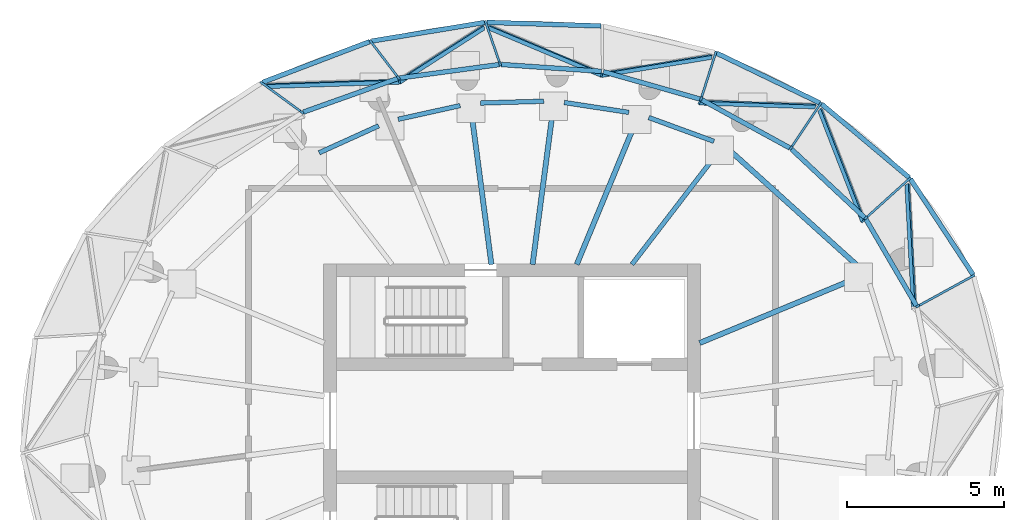
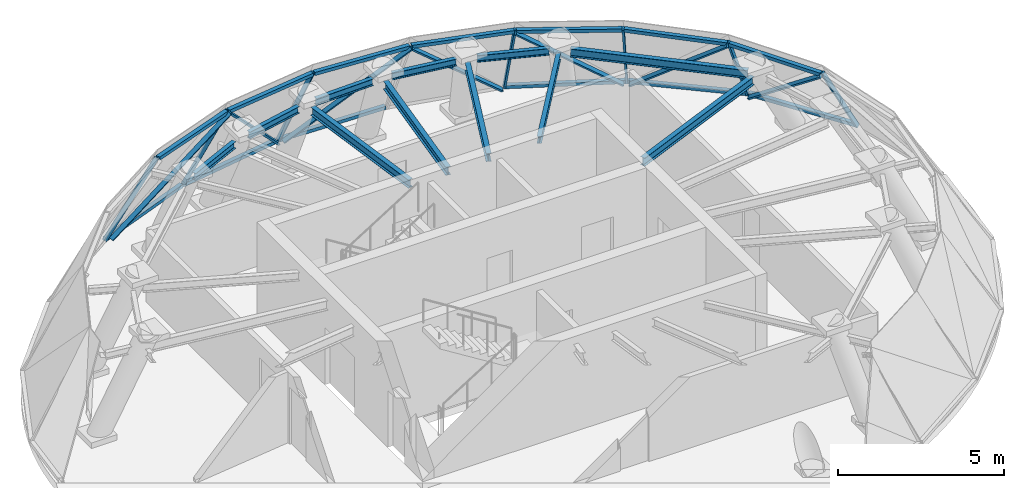
# One storey, part 4 of 8: 27 members, 11 beams, 15 elements without a shape of their own.
"""IFC4 building model written with IfcOpenShell, lengths in metres."""

from ifc_helpers import new_model, si_unit, direction, frame, origin, origin_2d, place, context, subcontext, project, spatial, rectangle, i_section, extrude, source, transform, mapped, material, layer, layer_set, material_profile, profile_set, type_object, element, aggregate, save


model = new_model("IFC4")

# Units and contexts
model_context = context("Model", 3, precision=1e-05, world=origin(), true_north=direction((0.0, 1.0)))
body_context = subcontext(model_context, "Body", "Model", "MODEL_VIEW")
ifc_project = project(units=[si_unit("LENGTHUNIT", "METRE"), si_unit("AREAUNIT", "SQUARE_METRE"), si_unit("VOLUMEUNIT", "CUBIC_METRE"), si_unit("PLANEANGLEUNIT", "RADIAN"), si_unit("MASSUNIT", "GRAM", prefix="KILO")], contexts=[model_context])

# Site, building, storey
site_placement = place(None, origin())
site = spatial("IfcSite", under=ifc_project, at=site_placement, CompositionType="ELEMENT")
building_placement = place(site_placement, origin())
building = spatial("IfcBuilding", under=site, at=building_placement, Name="Spindrift Exchange Tower", CompositionType="ELEMENT")
storey_placement = place(building_placement, frame((0.0, 0.0, 280.10009765625)))
storey = spatial("IfcBuildingStorey", under=building, at=storey_placement, Name="L69", CompositionType="ELEMENT", Elevation=280.10009765625)

# Beams
ifc_material_1 = material(Name="Steel Grade 300", Category="steel")
ifc_material_profile_1 = material_profile(ifc_material_1, i_section(OverallWidth=0.1650390625, OverallDepth=0.303955078125, WebThickness=0.006103515625, FlangeThickness=0.01025390625, FilletRadius=0.011474609375, at=origin_2d()), Name="310UB40.4")
ifc_profile_set_1 = profile_set([ifc_material_profile_1], Name="Steel Grade 300")
beam_type_1 = type_object("IfcBeamType", Name="Floor Beam 310UB40.4 Steel Grade 300", PredefinedType="BEAM", material=ifc_profile_set_1)
shared_shape_1 = source(origin(), body_context, "Body", "SweptSolid", [
    extrude(i_section(OverallWidth=0.1650390625, OverallDepth=0.303955078125, WebThickness=0.006103515625, FlangeThickness=0.01025390625, FilletRadius=0.011474609375, at=origin_2d()), origin(), (0.0, 0.0, 1.0), 5.4267578125),
])
beam_1_placement = place(storey_placement, frame((57.9814453125, 50.4775390625, 3.06787109375), z_axis=(0.923884140635, 0.38267230718, 0.0), x_axis=(-0.38267230718, 0.923884140635, 0.0)))
element("IfcBeam", 1, at=beam_1_placement, inside=storey, type_object=beam_type_1, Name="L69 radial beam R02A", PredefinedType="BEAM", context=body_context, shape_type="MappedRepresentation", body=[
    mapped(shared_shape_1, transform((0.0, 0.0, 0.0), scale=1.0)),
])
ifc_material_profile_2 = material_profile(ifc_material_1, i_section(OverallWidth=0.14599609375, OverallDepth=0.251953125, WebThickness=0.006103515625, FlangeThickness=0.008544921875, FilletRadius=0.011962890625, at=origin_2d()), Name="250UB31.4")
ifc_profile_set_2 = profile_set([ifc_material_profile_2], Name="Steel Grade 300")
beam_type_2 = type_object("IfcBeamType", Name="Floor Beam 250UB31.4 Steel Grade 300", PredefinedType="BEAM", material=ifc_profile_set_2)
shared_shape_2 = source(origin(), body_context, "Body", "SweptSolid", [
    extrude(i_section(OverallWidth=0.14599609375, OverallDepth=0.251953125, WebThickness=0.006103515625, FlangeThickness=0.008544921875, FilletRadius=0.011962890625, at=origin_2d()), origin(), (0.0, 0.0, 1.0), 4.46923828125),
])
beam_2_placement = place(storey_placement, frame((55.824462890625, 52.984130859375, 3.093994140625), z_axis=(0.608765216397, 0.793350434111, 0.0), x_axis=(-0.793350434111, 0.608765216397, 0.0)))
element("IfcBeam", 2, at=beam_2_placement, inside=storey, type_object=beam_type_2, Name="L69 radial beam R04A", PredefinedType="BEAM", context=body_context, shape_type="MappedRepresentation", body=[
    mapped(shared_shape_2, transform((0.0, 0.0, 0.0), scale=1.0)),
])
shared_shape_3 = source(origin(), body_context, "Body", "SweptSolid", [
    extrude(i_section(OverallWidth=0.1650390625, OverallDepth=0.303955078125, WebThickness=0.006103515625, FlangeThickness=0.01025390625, FilletRadius=0.011474609375, at=origin_2d()), origin(), (0.0, 0.0, 1.0), 4.861572265625),
])
beam_3_placement = place(storey_placement, frame((54.0634765625, 52.9814453125, 3.06787109375), z_axis=(0.382671134103, 0.923884626522, 0.0), x_axis=(-0.923884626522, 0.382671134103, 0.0)))
element("IfcBeam", 3, at=beam_3_placement, inside=storey, type_object=beam_type_1, Name="L69 radial beam R05A", PredefinedType="BEAM", context=body_context, shape_type="MappedRepresentation", body=[
    mapped(shared_shape_3, transform((0.0, 0.0, 0.0), scale=1.0)),
])
shared_shape_4 = source(origin(), body_context, "Body", "SweptSolid", [
    extrude(i_section(OverallWidth=0.1650390625, OverallDepth=0.303955078125, WebThickness=0.006103515625, FlangeThickness=0.01025390625, FilletRadius=0.011474609375, at=origin_2d()), origin(), (0.0, 0.0, 1.0), 4.927490234375),
])
beam_4_placement = place(storey_placement, frame((52.65576171875, 52.980224609375, 3.06787109375), z_axis=(0.130508343522, 0.991447211036, 0.0), x_axis=(-0.991447211036, 0.130508343522, 0.0)))
element("IfcBeam", 4, at=beam_4_placement, inside=storey, type_object=beam_type_1, Name="L69 radial beam R06A", PredefinedType="BEAM", context=body_context, shape_type="MappedRepresentation", body=[
    mapped(shared_shape_4, transform((0.0, 0.0, 0.0), scale=1.0)),
])
shared_shape_5 = source(origin(), body_context, "Body", "SweptSolid", [
    extrude(i_section(OverallWidth=0.1650390625, OverallDepth=0.303955078125, WebThickness=0.006103515625, FlangeThickness=0.01025390625, FilletRadius=0.011474609375, at=origin_2d()), origin(), (0.0, 0.0, 1.0), 4.849853515625),
])
beam_5_placement = place(storey_placement, frame((51.34423828125, 52.980224609375, 3.06787109375), z_axis=(-0.130531341342, 0.991444183465, 0.0), x_axis=(-0.991444183465, -0.130531341342, 0.0)))
element("IfcBeam", 5, at=beam_5_placement, inside=storey, type_object=beam_type_1, Name="L69 radial beam R07A", PredefinedType="BEAM", context=body_context, shape_type="MappedRepresentation", body=[
    mapped(shared_shape_5, transform((0.0, 0.0, 0.0), scale=1.0)),
])
ifc_material_profile_3 = material_profile(ifc_material_1, i_section(OverallWidth=0.1650390625, OverallDepth=0.303955078125, WebThickness=0.006103515625, FlangeThickness=0.01025390625, FilletRadius=0.011474609375, at=origin_2d()), Name="310UB40.4")
ifc_profile_set_3 = profile_set([ifc_material_profile_3], Name="Steel Grade 300")
beam_type_3 = type_object("IfcBeamType", Name="Edge Beam 310UB40.4 Steel Grade 300", PredefinedType="SPANDREL", material=ifc_profile_set_3)
shared_shape_6 = source(origin(), body_context, "Body", "SweptSolid", [
    extrude(i_section(OverallWidth=0.1650390625, OverallDepth=0.303955078125, WebThickness=0.006103515625, FlangeThickness=0.01025390625, FilletRadius=0.011474609375, at=origin_2d()), origin(), (0.0, 0.0, 1.0), 5.47509765625),
])
beam_6_placement = place(storey_placement, frame((63.054931640625, 52.901611328125, 3.06787109375), z_axis=(-0.742260031979, 0.670111964471, 0.0), x_axis=(-0.670111964471, -0.742260031979, 0.0)))
element("IfcBeam", 6, at=beam_6_placement, inside=storey, type_object=beam_type_3, Name="L69 edge beam E02", PredefinedType="SPANDREL", context=body_context, shape_type="MappedRepresentation", body=[
    mapped(shared_shape_6, transform((0.0, 0.0, 0.0), scale=1.0)),
])
ifc_material_profile_4 = material_profile(ifc_material_1, i_section(OverallWidth=0.14599609375, OverallDepth=0.251953125, WebThickness=0.006103515625, FlangeThickness=0.008544921875, FilletRadius=0.011962890625, at=origin_2d()), Name="250UB31.4")
ifc_profile_set_4 = profile_set([ifc_material_profile_4], Name="Steel Grade 300")
beam_type_4 = type_object("IfcBeamType", Name="Edge Beam 250UB31.4 Steel Grade 300", PredefinedType="SPANDREL", material=ifc_profile_set_4)
shared_shape_7 = source(origin(), body_context, "Body", "SweptSolid", [
    extrude(i_section(OverallWidth=0.14599609375, OverallDepth=0.251953125, WebThickness=0.006103515625, FlangeThickness=0.008544921875, FilletRadius=0.011962890625, at=origin_2d()), origin(), (0.0, 0.0, 1.0), 2.210693359375),
])
beam_7_placement = place(storey_placement, frame((58.43603515625, 56.905029296875, 3.093994140625), z_axis=(-0.939166301396, 0.34346274663, 0.0), x_axis=(-0.34346274663, -0.939166301396, 0.0)))
element("IfcBeam", 7, at=beam_7_placement, inside=storey, type_object=beam_type_4, Name="L69 edge beam E04", PredefinedType="SPANDREL", context=body_context, shape_type="MappedRepresentation", body=[
    mapped(shared_shape_7, transform((0.0, 0.0, 0.0), scale=1.0)),
])
shared_shape_8 = source(origin(), body_context, "Body", "SweptSolid", [
    extrude(i_section(OverallWidth=0.14599609375, OverallDepth=0.251953125, WebThickness=0.006103515625, FlangeThickness=0.008544921875, FilletRadius=0.011962890625, at=origin_2d()), origin(), (0.0, 0.0, 1.0), 2.07958984375),
])
beam_8_placement = place(storey_placement, frame((55.723876953125, 57.82763671875, 3.093994140625), z_axis=(-0.988448926975, 0.151554342604, 0.0), x_axis=(-0.151554342604, -0.988448926975, 0.0)))
element("IfcBeam", 8, at=beam_8_placement, inside=storey, type_object=beam_type_4, Name="L69 edge beam E05", PredefinedType="SPANDREL", context=body_context, shape_type="MappedRepresentation", body=[
    mapped(shared_shape_8, transform((0.0, 0.0, 0.0), scale=1.0)),
])
shared_shape_9 = source(origin(), body_context, "Body", "SweptSolid", [
    extrude(i_section(OverallWidth=0.14599609375, OverallDepth=0.251953125, WebThickness=0.006103515625, FlangeThickness=0.008544921875, FilletRadius=0.011962890625, at=origin_2d()), origin(), (0.0, 0.0, 1.0), 2.014892578125),
])
beam_9_placement = place(storey_placement, frame((53.01220703125, 58.183349609375, 3.093994140625), z_axis=(-0.999584142012, -0.028836487976, 0.0), x_axis=(0.028836487976, -0.999584142012, 0.0)))
element("IfcBeam", 9, at=beam_9_placement, inside=storey, type_object=beam_type_4, Name="L69 edge beam E06", PredefinedType="SPANDREL", context=body_context, shape_type="MappedRepresentation", body=[
    mapped(shared_shape_9, transform((0.0, 0.0, 0.0), scale=1.0)),
])
shared_shape_10 = source(origin(), body_context, "Body", "SweptSolid", [
    extrude(i_section(OverallWidth=0.14599609375, OverallDepth=0.251953125, WebThickness=0.006103515625, FlangeThickness=0.008544921875, FilletRadius=0.011962890625, at=origin_2d()), origin(), (0.0, 0.0, 1.0), 2.021728515625),
])
beam_10_placement = place(storey_placement, frame((50.34619140625, 58.04443359375, 3.093994140625), z_axis=(-0.976357245628, -0.216163199712, 0.0), x_axis=(0.216163199712, -0.976357245628, 0.0)))
element("IfcBeam", 10, at=beam_10_placement, inside=storey, type_object=beam_type_4, Name="L69 edge beam E07", PredefinedType="SPANDREL", context=body_context, shape_type="MappedRepresentation", body=[
    mapped(shared_shape_10, transform((0.0, 0.0, 0.0), scale=1.0)),
])
shared_shape_11 = source(origin(), body_context, "Body", "SweptSolid", [
    extrude(i_section(OverallWidth=0.14599609375, OverallDepth=0.251953125, WebThickness=0.006103515625, FlangeThickness=0.008544921875, FilletRadius=0.011962890625, at=origin_2d()), origin(), (0.0, 0.0, 1.0), 2.0830078125),
])
beam_11_placement = place(storey_placement, frame((47.74951171875, 57.39990234375, 3.093994140625), z_axis=(-0.910711364305, -0.413043352357, 0.0), x_axis=(0.413043352357, -0.910711364305, 0.0)))
element("IfcBeam", 11, at=beam_11_placement, inside=storey, type_object=beam_type_4, Name="L69 edge beam E08", PredefinedType="SPANDREL", context=body_context, shape_type="MappedRepresentation", body=[
    mapped(shared_shape_11, transform((0.0, 0.0, 0.0), scale=1.0)),
])

# Curtain wall, member
ifc_material_2 = material(Name="Fritted laminated glass with bronze frame", Category="glass")
ifc_layer = layer(ifc_material_2, 0.14990234375)
ifc_layer_set = layer_set([ifc_layer], Name="CROWN BRONZE RAKED GLAZED WALL")
curtain_wall_type = type_object("IfcCurtainWallType", Name="CROWN BRONZE RAKED GLAZED WALL", PredefinedType="NOTDEFINED", material=ifc_layer_set)
curtain_wall_1_placement = place(storey_placement, origin())
curtain_wall_1 = element("IfcCurtainWall", 12, at=curtain_wall_1_placement, inside=storey, type_object=curtain_wall_type, Name="L69 Crown Bronze Raked Glazed Wall facet 3", PredefinedType="NOTDEFINED")
ifc_material_3 = material(Name="Bronze anodised aluminium", Category="aluminium")
ifc_material_profile_5 = material_profile(ifc_material_3, rectangle(XDim=0.14990234375, YDim=0.1201171875, at=origin_2d()), Name="CROWN BRONZE RAKED GLAZED WALL TRANSOM 150X120")
ifc_profile_set_5 = profile_set([ifc_material_profile_5], Name="Bronze anodised aluminium")
member_type_1 = type_object("IfcMemberType", Name="CROWN BRONZE RAKED GLAZED WALL TRANSOM 150X120", PredefinedType="USERDEFINED", material=ifc_profile_set_5)
shared_shape_12 = source(origin(), body_context, "Body", "SweptSolid", [
    extrude(rectangle(XDim=0.14990234375, YDim=0.1201171875, at=origin_2d()), origin(), (0.0, 0.0, 1.0), 3.637939453125),
])
member_1_placement = place(storey_placement, frame((64.701904296875, 55.698974609375, 0.059814453125), z_axis=(0.548100736772, -0.836412327952, 0.0), x_axis=(0.836412327952, 0.548100736772, 0.0)))
member_1 = element("IfcMember", 13, at=member_1_placement, type_object=member_type_1, Name="L69 transom CW-R.2a", ObjectType="TRANSOM", PredefinedType="USERDEFINED", context=body_context, shape_type="MappedRepresentation", body=[
    mapped(shared_shape_12, transform((0.0, 0.0, 0.0), scale=1.0)),
])

curtain_wall_2_placement = place(storey_placement, origin())
curtain_wall_2 = element("IfcCurtainWall", 14, at=curtain_wall_2_placement, inside=storey, type_object=curtain_wall_type, Name="L69 Crown Bronze Raked Glazed Wall facet 5", PredefinedType="NOTDEFINED")
shared_shape_13 = source(origin(), body_context, "Body", "SweptSolid", [
    extrude(rectangle(XDim=0.14990234375, YDim=0.1201171875, at=origin_2d()), origin(), (0.0, 0.0, 1.0), 3.642333984375),
])
member_2_placement = place(storey_placement, frame((61.866455078125, 58.093017578125, 0.059814453125), z_axis=(0.765803889802, -0.643074181074, 0.0), x_axis=(0.643074181074, 0.765803889802, 0.0)))
member_2 = element("IfcMember", 15, at=member_2_placement, type_object=member_type_1, Name="L69 transom CW-R.3a", ObjectType="TRANSOM", PredefinedType="USERDEFINED", context=body_context, shape_type="MappedRepresentation", body=[
    mapped(shared_shape_13, transform((0.0, 0.0, 0.0), scale=1.0)),
])

curtain_wall_3_placement = place(storey_placement, origin())
curtain_wall_3 = element("IfcCurtainWall", 16, at=curtain_wall_3_placement, inside=storey, type_object=curtain_wall_type, Name="L69 Crown Bronze Raked Glazed Wall facet 7", PredefinedType="NOTDEFINED")
shared_shape_14 = source(origin(), body_context, "Body", "SweptSolid", [
    extrude(rectangle(XDim=0.14990234375, YDim=0.1201171875, at=origin_2d()), origin(), (0.0, 0.0, 1.0), 3.64501953125),
])
member_3_placement = place(storey_placement, frame((61.80810546875, 58.130615234375, 0.059814453125), z_axis=(-0.900673675407, 0.434496179993, 0.0), x_axis=(-0.434496179993, -0.900673675407, 0.0)))
member_3 = element("IfcMember", 17, at=member_3_placement, type_object=member_type_1, Name="L69 transom CW-R.4a", ObjectType="TRANSOM", PredefinedType="USERDEFINED", context=body_context, shape_type="MappedRepresentation", body=[
    mapped(shared_shape_14, transform((0.0, 0.0, 0.0), scale=1.0)),
])

curtain_wall_4_placement = place(storey_placement, origin())
curtain_wall_4 = element("IfcCurtainWall", 18, at=curtain_wall_4_placement, inside=storey, type_object=curtain_wall_type, Name="L69 Crown Bronze Raked Glazed Wall facet 15", PredefinedType="NOTDEFINED")
shared_shape_15 = source(origin(), body_context, "Body", "SweptSolid", [
    extrude(rectangle(XDim=0.14990234375, YDim=0.1201171875, at=origin_2d()), origin(), (0.0, 0.0, 1.0), 3.646728515625),
])
member_4_placement = place(storey_placement, frame((44.051025390625, 58.78466796875, 0.059814453125), z_axis=(0.934654139779, 0.355558207604, 0.0), x_axis=(-0.355558207604, 0.934654139779, 0.0)))
member_4 = element("IfcMember", 19, at=member_4_placement, type_object=member_type_1, Name="L69 transom CW-R.8a", ObjectType="TRANSOM", PredefinedType="USERDEFINED", context=body_context, shape_type="MappedRepresentation", body=[
    mapped(shared_shape_15, transform((0.0, 0.0, 0.0), scale=1.0)),
])

curtain_wall_5_placement = place(storey_placement, origin())
curtain_wall_5 = element("IfcCurtainWall", 20, at=curtain_wall_5_placement, inside=storey, type_object=curtain_wall_type, Name="L69 Crown Bronze Raked Glazed Wall facet 11", PredefinedType="NOTDEFINED")
shared_shape_16 = source(origin(), body_context, "Body", "SweptSolid", [
    extrude(rectangle(XDim=0.14990234375, YDim=0.1201171875, at=origin_2d()), origin(), (0.0, 0.0, 1.0), 3.6474609375),
])
member_5_placement = place(storey_placement, frame((51.195068359375, 60.697265625, 0.059814453125), z_axis=(0.999511357517, -0.031257738161, 0.0), x_axis=(0.031257738161, 0.999511357517, 0.0)))
member_5 = element("IfcMember", 21, at=member_5_placement, type_object=member_type_1, Name="L69 transom CW-R.6a", ObjectType="TRANSOM", PredefinedType="USERDEFINED", context=body_context, shape_type="MappedRepresentation", body=[
    mapped(shared_shape_16, transform((0.0, 0.0, 0.0), scale=1.0)),
])
aggregate(curtain_wall_5, [member_5])

curtain_wall_6_placement = place(storey_placement, origin())
curtain_wall_6 = element("IfcCurtainWall", 22, at=curtain_wall_6_placement, inside=storey, type_object=curtain_wall_type, Name="L69 Crown Bronze Raked Glazed Wall facet 13", PredefinedType="NOTDEFINED")
member_6_placement = place(storey_placement, frame((51.12548828125, 60.692626953125, 0.059814453125), z_axis=(-0.986694371983, -0.162586027376, 0.0), x_axis=(0.162586027376, -0.986694371983, 0.0)))
member_6 = element("IfcMember", 23, at=member_6_placement, type_object=member_type_1, Name="L69 transom CW-R.7a", ObjectType="TRANSOM", PredefinedType="USERDEFINED", context=body_context, shape_type="MappedRepresentation", body=[
    mapped(shared_shape_16, transform((0.0, 0.0, 0.0), scale=1.0)),
])

curtain_wall_7_placement = place(storey_placement, origin())
curtain_wall_7 = element("IfcCurtainWall", 24, at=curtain_wall_7_placement, inside=storey, type_object=curtain_wall_type, Name="L69 Crown Bronze Raked Glazed Wall facet 4", PredefinedType="NOTDEFINED")
shared_shape_17 = source(origin(), body_context, "Body", "SweptSolid", [
    extrude(rectangle(XDim=0.14990234375, YDim=0.1201171875, at=origin_2d()), origin(), (0.0, 0.0, 1.0), 3.1875),
])
member_7_placement = place(storey_placement, frame((63.281494140625, 54.4189453125, 3.159912109375), z_axis=(0.504356688365, -0.863495414522, 0.0), x_axis=(0.863495414522, 0.504356688365, 0.0)))
member_7 = element("IfcMember", 25, at=member_7_placement, type_object=member_type_1, Name="L69 transom CW-R.2b", ObjectType="TRANSOM", PredefinedType="USERDEFINED", context=body_context, shape_type="MappedRepresentation", body=[
    mapped(shared_shape_17, transform((0.0, 0.0, 0.0), scale=1.0)),
])

# Member
ifc_material_profile_6 = material_profile(ifc_material_3, rectangle(XDim=0.070068359375, YDim=0.14990234375, at=origin_2d()), Name="CROWN BRONZE RAKED GLAZED WALL MULLION 70X150")
ifc_profile_set_6 = profile_set([ifc_material_profile_6], Name="Bronze anodised aluminium")
member_type_2 = type_object("IfcMemberType", Name="CROWN BRONZE RAKED GLAZED WALL MULLION 70X150", PredefinedType="MULLION", material=ifc_profile_set_6)
shared_shape_18 = source(origin(), body_context, "Body", "SweptSolid", [
    extrude(rectangle(XDim=0.070068359375, YDim=0.14990234375, at=origin_2d()), origin(), (0.0, 0.0, 1.0), 3.7275390625),
])
member_8_placement = place(storey_placement, frame((66.692138671875, 52.614501953125, 0.040283203125), z_axis=(-0.472889864394, -0.25910696725, 0.842163140773), x_axis=(0.480519295538, -0.876984154142, 0.0)))
member_8 = element("IfcMember", 26, at=member_8_placement, type_object=member_type_2, Name="L69 mullion CW-R.2", PredefinedType="MULLION", context=body_context, shape_type="MappedRepresentation", body=[
    mapped(shared_shape_18, transform((0.0, 0.0, 0.0), scale=1.0)),
])

aggregate(curtain_wall_1, [member_1, member_8])

shared_shape_19 = source(origin(), body_context, "Body", "SweptSolid", [
    extrude(rectangle(XDim=0.070068359375, YDim=0.14990234375, at=origin_2d()), origin(), (0.0, 0.0, 1.0), 5.020751953125),
])
member_9_placement = place(storey_placement, frame((64.596923828125, 55.51611328125, 0.058837890625), z_axis=(0.042985757744, -0.785122222327, 0.617847327938), x_axis=(0.667748881889, -0.437422156833, -0.602306639053)))
member_9 = element("IfcMember", 27, at=member_9_placement, type_object=member_type_2, Name="L69 glazing bar CW-R.2", PredefinedType="MULLION", context=body_context, shape_type="MappedRepresentation", body=[
    mapped(shared_shape_19, transform((0.0, 0.0, 0.0), scale=1.0)),
])

aggregate(curtain_wall_7, [member_7, member_9])

# Curtain wall, member
curtain_wall_8_placement = place(storey_placement, origin())
curtain_wall_8 = element("IfcCurtainWall", 28, at=curtain_wall_8_placement, inside=storey, type_object=curtain_wall_type, Name="L69 Crown Bronze Raked Glazed Wall facet 6", PredefinedType="NOTDEFINED")
shared_shape_20 = source(origin(), body_context, "Body", "SweptSolid", [
    extrude(rectangle(XDim=0.14990234375, YDim=0.1201171875, at=origin_2d()), origin(), (0.0, 0.0, 1.0), 3.1904296875),
])
member_10_placement = place(storey_placement, frame((60.909912109375, 56.654296875, 3.159912109375), z_axis=(0.729802037527, -0.683658530278, 0.0), x_axis=(0.683658530278, 0.729802037527, 0.0)))
member_10 = element("IfcMember", 29, at=member_10_placement, type_object=member_type_1, Name="L69 transom CW-R.3b", ObjectType="TRANSOM", PredefinedType="USERDEFINED", context=body_context, shape_type="MappedRepresentation", body=[
    mapped(shared_shape_20, transform((0.0, 0.0, 0.0), scale=1.0)),
])

# Member
shared_shape_21 = source(origin(), body_context, "Body", "SweptSolid", [
    extrude(rectangle(XDim=0.070068359375, YDim=0.14990234375, at=origin_2d()), origin(), (0.0, 0.0, 1.0), 3.655029296875),
])
member_11_placement = place(storey_placement, frame((64.665771484375, 55.713134765625, 0.0380859375), z_axis=(-0.378926948694, -0.341655445543, 0.860049954412), x_axis=(0.669637121797, -0.742688444175, 0.0)))
member_11 = element("IfcMember", 30, at=member_11_placement, type_object=member_type_2, Name="L69 mullion CW-R.3", PredefinedType="MULLION", context=body_context, shape_type="MappedRepresentation", body=[
    mapped(shared_shape_21, transform((0.0, 0.0, 0.0), scale=1.0)),
])

aggregate(curtain_wall_2, [member_2, member_11])

shared_shape_22 = source(origin(), body_context, "Body", "SweptSolid", [
    extrude(rectangle(XDim=0.070068359375, YDim=0.14990234375, at=origin_2d()), origin(), (0.0, 0.0, 1.0), 4.89990234375),
])
member_12_placement = place(storey_placement, frame((61.81591796875, 57.89892578125, 0.057861328125), z_axis=(0.280164677133, -0.721263358738, 0.633472115432), x_axis=(0.751103125691, -0.246232815445, -0.612546728972)))
member_12 = element("IfcMember", 31, at=member_12_placement, type_object=member_type_2, Name="L69 glazing bar CW-R.3", PredefinedType="MULLION", context=body_context, shape_type="MappedRepresentation", body=[
    mapped(shared_shape_22, transform((0.0, 0.0, 0.0), scale=1.0)),
])

aggregate(curtain_wall_8, [member_10, member_12])

# Curtain wall, members
curtain_wall_9_placement = place(storey_placement, origin())
curtain_wall_9 = element("IfcCurtainWall", 32, at=curtain_wall_9_placement, inside=storey, type_object=curtain_wall_type, Name="L69 Crown Bronze Raked Glazed Wall facet 8", PredefinedType="NOTDEFINED")
shared_shape_23 = source(origin(), body_context, "Body", "SweptSolid", [
    extrude(rectangle(XDim=0.14990234375, YDim=0.1201171875, at=origin_2d()), origin(), (0.0, 0.0, 1.0), 3.192626953125),
])
member_13_placement = place(storey_placement, frame((60.853515625, 56.695068359375, 3.159912109375), z_axis=(-0.877316308591, 0.479912590667, 0.0), x_axis=(-0.479912590667, -0.877316308591, 0.0)))
member_13 = element("IfcMember", 33, at=member_13_placement, type_object=member_type_1, Name="L69 transom CW-R.4b", ObjectType="TRANSOM", PredefinedType="USERDEFINED", context=body_context, shape_type="MappedRepresentation", body=[
    mapped(shared_shape_23, transform((0.0, 0.0, 0.0), scale=1.0)),
])
shared_shape_24 = source(origin(), body_context, "Body", "SweptSolid", [
    extrude(rectangle(XDim=0.070068359375, YDim=0.14990234375, at=origin_2d()), origin(), (0.0, 0.0, 1.0), 3.572998046875),
])
member_14_placement = place(storey_placement, frame((61.8291015625, 58.099609375, 0.035400390625), z_axis=(-0.261502545508, -0.393381278937, 0.881400923573), x_axis=(0.832783971925, -0.553598099802, 0.0)))
member_14 = element("IfcMember", 34, at=member_14_placement, type_object=member_type_2, Name="L69 mullion CW-R.4", PredefinedType="MULLION", context=body_context, shape_type="MappedRepresentation", body=[
    mapped(shared_shape_24, transform((0.0, 0.0, 0.0), scale=1.0)),
])
aggregate(curtain_wall_9, [member_13, member_14])

# Member
shared_shape_25 = source(origin(), body_context, "Body", "SweptSolid", [
    extrude(rectangle(XDim=0.070068359375, YDim=0.14990234375, at=origin_2d()), origin(), (0.0, 0.0, 1.0), 4.818359375),
])
member_15_placement = place(storey_placement, frame((61.655517578125, 58.017578125, 0.05712890625), z_axis=(-0.764152956195, 0.025740315745, 0.644521291877), x_axis=(0.5088697396, -0.589972408415, 0.626884475345)))
member_15 = element("IfcMember", 35, at=member_15_placement, type_object=member_type_2, Name="L69 glazing bar CW-R.4", PredefinedType="MULLION", context=body_context, shape_type="MappedRepresentation", body=[
    mapped(shared_shape_25, transform((0.0, 0.0, 0.0), scale=1.0)),
])

aggregate(curtain_wall_3, [member_3, member_15])

# Curtain wall, member
curtain_wall_10_placement = place(storey_placement, origin())
curtain_wall_10 = element("IfcCurtainWall", 36, at=curtain_wall_10_placement, inside=storey, type_object=curtain_wall_type, Name="L69 Crown Bronze Raked Glazed Wall facet 10", PredefinedType="NOTDEFINED")
shared_shape_26 = source(origin(), body_context, "Body", "SweptSolid", [
    extrude(rectangle(XDim=0.14990234375, YDim=0.1201171875, at=origin_2d()), origin(), (0.0, 0.0, 1.0), 3.194091796875),
])
member_16_placement = place(storey_placement, frame((57.988037109375, 58.253662109375, 3.159912109375), z_axis=(-0.962092972566, 0.27272167523, 0.0), x_axis=(-0.27272167523, -0.962092972566, 0.0)))
member_16 = element("IfcMember", 37, at=member_16_placement, type_object=member_type_1, Name="L69 transom CW-R.5b", ObjectType="TRANSOM", PredefinedType="USERDEFINED", context=body_context, shape_type="MappedRepresentation", body=[
    mapped(shared_shape_26, transform((0.0, 0.0, 0.0), scale=1.0)),
])

curtain_wall_11_placement = place(storey_placement, origin())
curtain_wall_11 = element("IfcCurtainWall", 38, at=curtain_wall_11_placement, inside=storey, type_object=curtain_wall_type, Name="L69 Crown Bronze Raked Glazed Wall facet 16", PredefinedType="NOTDEFINED")
member_17_placement = place(storey_placement, frame((45.34716796875, 57.83544921875, 3.159912109375), z_axis=(0.941969958501, 0.335697180926, 0.0), x_axis=(-0.335697180926, 0.941969958501, 0.0)))
member_17 = element("IfcMember", 39, at=member_17_placement, type_object=member_type_1, Name="L69 transom CW-R.8b", ObjectType="TRANSOM", PredefinedType="USERDEFINED", context=body_context, shape_type="MappedRepresentation", body=[
    mapped(shared_shape_26, transform((0.0, 0.0, 0.0), scale=1.0)),
])

# Member
shared_shape_27 = source(origin(), body_context, "Body", "SweptSolid", [
    extrude(rectangle(XDim=0.070068359375, YDim=0.14990234375, at=origin_2d()), origin(), (0.0, 0.0, 1.0), 3.504638671875),
])
member_18_placement = place(storey_placement, frame((58.48876953125, 59.71435546875, 0.03271484375), z_axis=(-0.131869409005, -0.415252798247, 0.900097535002), x_axis=(0.953095717909, -0.302669047811, 0.0)))
member_18 = element("IfcMember", 40, at=member_18_placement, type_object=member_type_2, Name="L69 mullion CW-R.5", PredefinedType="MULLION", context=body_context, shape_type="MappedRepresentation", body=[
    mapped(shared_shape_27, transform((0.0, 0.0, 0.0), scale=1.0)),
])

aggregate(curtain_wall_10, [member_16, member_18])

# Curtain wall, member
curtain_wall_12_placement = place(storey_placement, origin())
curtain_wall_12 = element("IfcCurtainWall", 41, at=curtain_wall_12_placement, inside=storey, type_object=curtain_wall_type, Name="L69 Crown Bronze Raked Glazed Wall facet 9", PredefinedType="NOTDEFINED")
shared_shape_28 = source(origin(), body_context, "Body", "SweptSolid", [
    extrude(rectangle(XDim=0.070068359375, YDim=0.14990234375, at=origin_2d()), origin(), (0.0, 0.0, 1.0), 4.705078125),
])
member_19_placement = place(storey_placement, frame((58.345458984375, 59.5966796875, 0.05615234375), z_axis=(-0.74087766055, -0.12209589125, 0.660449002905), x_axis=(0.636451650882, -0.44173834842, 0.632294652535)))
member_19 = element("IfcMember", 42, at=member_19_placement, type_object=member_type_2, Name="L69 glazing bar CW-R.5", PredefinedType="MULLION", context=body_context, shape_type="MappedRepresentation", body=[
    mapped(shared_shape_28, transform((0.0, 0.0, 0.0), scale=1.0)),
])
aggregate(curtain_wall_12, [member_19])

curtain_wall_13_placement = place(storey_placement, origin())
curtain_wall_13 = element("IfcCurtainWall", 43, at=curtain_wall_13_placement, inside=storey, type_object=curtain_wall_type, Name="L69 Crown Bronze Raked Glazed Wall facet 12", PredefinedType="NOTDEFINED")
shared_shape_29 = source(origin(), body_context, "Body", "SweptSolid", [
    extrude(rectangle(XDim=0.14990234375, YDim=0.1201171875, at=origin_2d()), origin(), (0.0, 0.0, 1.0), 3.19482421875),
])
member_20_placement = place(storey_placement, frame((51.6591796875, 59.3544921875, 3.159912109375), z_axis=(0.997668698763, -0.068243442972, 0.0), x_axis=(0.068243442972, 0.997668698763, 0.0)))
member_20 = element("IfcMember", 44, at=member_20_placement, type_object=member_type_1, Name="L69 transom CW-R.6b", ObjectType="TRANSOM", PredefinedType="USERDEFINED", context=body_context, shape_type="MappedRepresentation", body=[
    mapped(shared_shape_29, transform((0.0, 0.0, 0.0), scale=1.0)),
])

curtain_wall_14_placement = place(storey_placement, origin())
curtain_wall_14 = element("IfcCurtainWall", 45, at=curtain_wall_14_placement, inside=storey, type_object=curtain_wall_type, Name="L69 Crown Bronze Raked Glazed Wall facet 14", PredefinedType="NOTDEFINED")
member_21_placement = place(storey_placement, frame((51.589599609375, 59.35205078125, 3.159912109375), z_axis=(-0.990986673488, -0.133960490332, 0.0), x_axis=(0.133960490332, -0.990986673488, 0.0)))
member_21 = element("IfcMember", 46, at=member_21_placement, type_object=member_type_1, Name="L69 transom CW-R.7b", ObjectType="TRANSOM", PredefinedType="USERDEFINED", context=body_context, shape_type="MappedRepresentation", body=[
    mapped(shared_shape_29, transform((0.0, 0.0, 0.0), scale=1.0)),
])

# Member
shared_shape_30 = source(origin(), body_context, "Body", "SweptSolid", [
    extrude(rectangle(XDim=0.070068359375, YDim=0.14990234375, at=origin_2d()), origin(), (0.0, 0.0, 1.0), 4.9755859375),
])
member_22_placement = place(storey_placement, frame((51.275634765625, 60.529296875, 0.05859375), z_axis=(0.720691345685, -0.302888594561, 0.623588392723), x_axis=(0.690595850492, 0.234941657364, -0.684017389339)))
member_22 = element("IfcMember", 47, at=member_22_placement, type_object=member_type_2, Name="L69 glazing bar CW-R.6", PredefinedType="MULLION", context=body_context, shape_type="MappedRepresentation", body=[
    mapped(shared_shape_30, transform((0.0, 0.0, 0.0), scale=1.0)),
])

aggregate(curtain_wall_13, [member_20, member_22])

shared_shape_31 = source(origin(), body_context, "Body", "SweptSolid", [
    extrude(rectangle(XDim=0.070068359375, YDim=0.14990234375, at=origin_2d()), origin(), (0.0, 0.0, 1.0), 3.452880859375),
])
member_23_placement = place(storey_placement, frame((51.16455078125, 60.685791015625, 0.0302734375), z_axis=(0.131868369812, -0.381251608593, 0.915018002003), x_axis=(0.945065230608, 0.32688179805, 0.0)))
member_23 = element("IfcMember", 48, at=member_23_placement, type_object=member_type_2, Name="L69 mullion CW-R.7", PredefinedType="MULLION", context=body_context, shape_type="MappedRepresentation", body=[
    mapped(shared_shape_31, transform((0.0, 0.0, 0.0), scale=1.0)),
])

aggregate(curtain_wall_14, [member_21, member_23])

shared_shape_32 = source(origin(), body_context, "Body", "SweptSolid", [
    extrude(rectangle(XDim=0.070068359375, YDim=0.14990234375, at=origin_2d()), origin(), (0.0, 0.0, 1.0), 4.4521484375),
])
member_24_placement = place(storey_placement, frame((51.09228515625, 60.5263671875, 0.053466796875), z_axis=(-0.601654798512, -0.386261064593, 0.699152267684), x_axis=(0.784225017323, -0.119453763216, 0.608869378979)))
member_24 = element("IfcMember", 49, at=member_24_placement, type_object=member_type_2, Name="L69 glazing bar CW-R.7", PredefinedType="MULLION", context=body_context, shape_type="MappedRepresentation", body=[
    mapped(shared_shape_32, transform((0.0, 0.0, 0.0), scale=1.0)),
])

aggregate(curtain_wall_6, [member_6, member_24])

shared_shape_33 = source(origin(), body_context, "Body", "SweptSolid", [
    extrude(rectangle(XDim=0.070068359375, YDim=0.14990234375, at=origin_2d()), origin(), (0.0, 0.0, 1.0), 3.47412109375),
])
member_25_placement = place(storey_placement, frame((47.500732421875, 60.08251953125, 0.03125), z_axis=(0.253196665504, -0.331481729443, 0.908851644452), x_axis=(0.794692453535, 0.607012276889, 0.0)))
member_25 = element("IfcMember", 50, at=member_25_placement, type_object=member_type_2, Name="L69 mullion CW-R.8", PredefinedType="MULLION", context=body_context, shape_type="MappedRepresentation", body=[
    mapped(shared_shape_33, transform((0.0, 0.0, 0.0), scale=1.0)),
])

aggregate(curtain_wall_4, [member_4, member_25])

shared_shape_34 = source(origin(), body_context, "Body", "SweptSolid", [
    extrude(rectangle(XDim=0.070068359375, YDim=0.14990234375, at=origin_2d()), origin(), (0.0, 0.0, 1.0), 5.22705078125),
])
member_26_placement = place(storey_placement, frame((44.2041015625, 58.666015625, 0.060302734375), z_axis=(0.804815701261, 0.027137015985, 0.592904097952), x_axis=(0.508146230949, 0.484682781184, -0.71194803855)))
member_26 = element("IfcMember", 51, at=member_26_placement, type_object=member_type_2, Name="L69 glazing bar CW-R.8", PredefinedType="MULLION", context=body_context, shape_type="MappedRepresentation", body=[
    mapped(shared_shape_34, transform((0.0, 0.0, 0.0), scale=1.0)),
])

aggregate(curtain_wall_11, [member_17, member_26])

# Curtain wall, member
curtain_wall_15_placement = place(storey_placement, origin())
curtain_wall_15 = element("IfcCurtainWall", 52, at=curtain_wall_15_placement, inside=storey, type_object=curtain_wall_type, Name="L69 Crown Bronze Raked Glazed Wall facet 17", PredefinedType="NOTDEFINED")
shared_shape_35 = source(origin(), body_context, "Body", "SweptSolid", [
    extrude(rectangle(XDim=0.070068359375, YDim=0.14990234375, at=origin_2d()), origin(), (0.0, 0.0, 1.0), 3.5234375),
])
member_27_placement = place(storey_placement, frame((44.03173828125, 58.76220703125, 0.033447265625), z_axis=(0.360168190837, -0.263578260474, 0.89487729601), x_axis=(0.5905691813, 0.806987014826, 0.0)))
member_27 = element("IfcMember", 53, at=member_27_placement, type_object=member_type_2, Name="L69 mullion CW-R.9", PredefinedType="MULLION", context=body_context, shape_type="MappedRepresentation", body=[
    mapped(shared_shape_35, transform((0.0, 0.0, 0.0), scale=1.0)),
])
aggregate(curtain_wall_15, [member_27])

save(model, "model.ifc")
